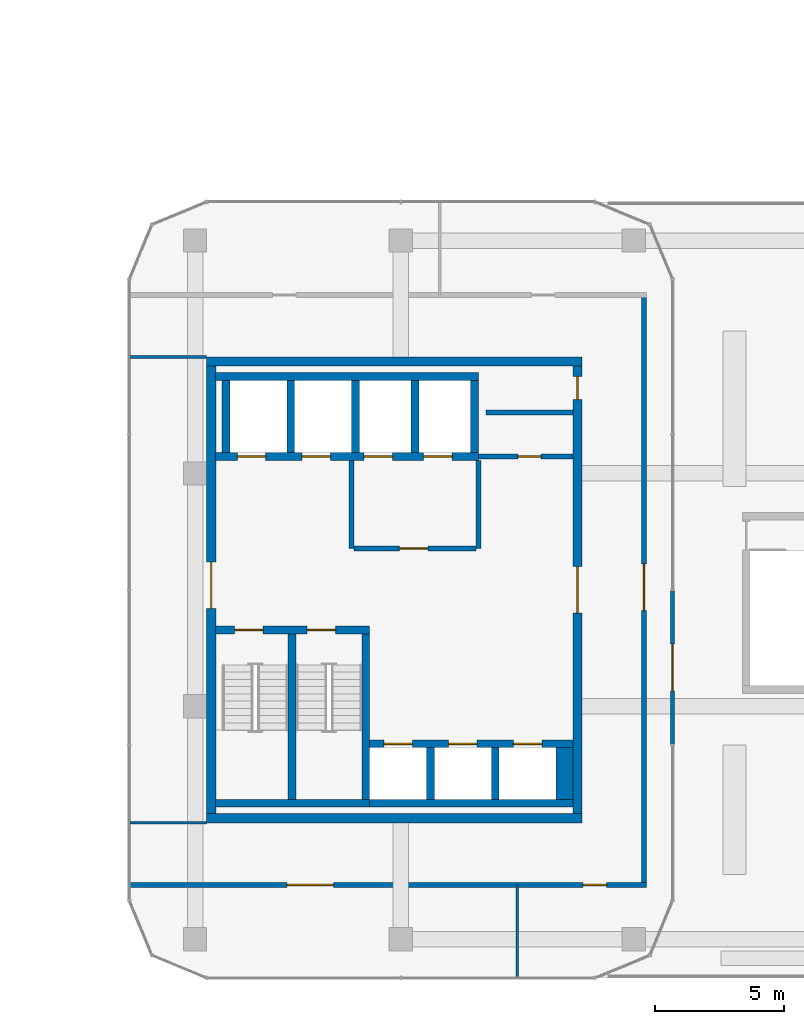
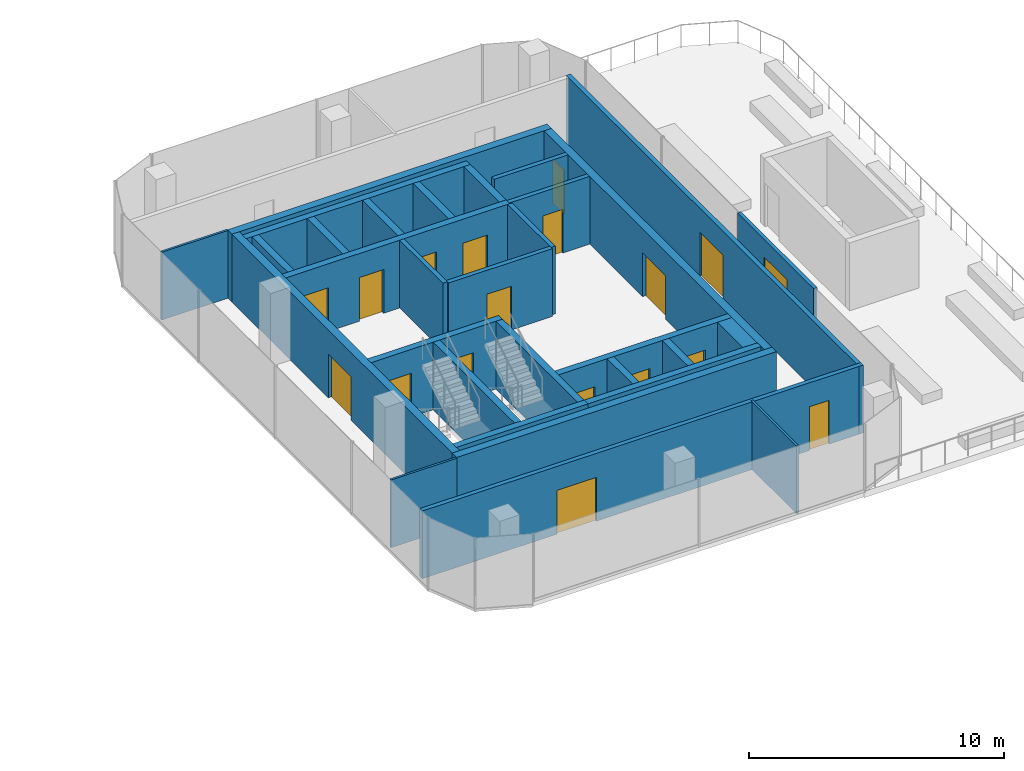
# One storey, part 17 of 22: 31 walls, 18 doors, 18 openings.
"""IFC4 building model written with IfcOpenShell, lengths in metres."""

import ifcopenshell
import ifcopenshell.guid

model = None  # the IFC model being written
_history = None  # IfcOwnerHistory: only IFC2X3 demands one
_inside = {}  # id of a spatial element -> (the spatial element, [elements in it])
_under = {}  # id of a project, library or spatial element -> (it, [spatial elements below it])
_declared = {}  # id of a project -> (the project, [libraries it declares])
_typed = {}  # id of a type object -> (the type object, [elements of that type])
_made_of = {}  # id of a material, layer set ... -> (it, [elements and type objects made of it])


def new_model(schema):
    """Start an empty IFC model of exactly this schema.

    Asked for "IFC4X3", IfcOpenShell would pick the latest addendum, in which some entities
    have other attributes; the version numbers below select the first issue.
    IFC2X3 requires an IfcOwnerHistory on every rooted entity: one is made here for all.
    """
    global model, _history
    if schema == "IFC4X3":
        model = ifcopenshell.file(schema_version=(4, 3, 0, 0))
    else:
        model = ifcopenshell.file(schema=schema)
    _inside.clear()
    _under.clear()
    _declared.clear()
    _typed.clear()
    _made_of.clear()
    _history = None
    if model.schema == "IFC2X3":
        org = make("IfcOrganization", Name="unknown")
        user = make(
            "IfcPersonAndOrganization",
            ThePerson=make("IfcPerson", FamilyName="unknown"),
            TheOrganization=org,
        )
        app = make(
            "IfcApplication",
            ApplicationDeveloper=org,
            Version="unknown",
            ApplicationFullName="unknown",
            ApplicationIdentifier="unknown",
        )
        _history = make(
            "IfcOwnerHistory",
            OwningUser=user,
            OwningApplication=app,
            ChangeAction="ADDED",
            CreationDate=0,
        )
    return model


def make(cls, **values):
    """One entity of the class cls with the attributes given. An attribute that is None is left unset."""
    return model.create_entity(
        cls, **{name: value for name, value in values.items() if value is not None}
    )


def rooted(cls, **values):
    """An entity with a GlobalId (a new one), such as an element, a storey or a relation."""
    return make(cls, GlobalId=ifcopenshell.guid.new(), OwnerHistory=_history, **values)


def si_unit(unit_type, name, prefix=None):
    """IfcSIUnit, for example si_unit("LENGTHUNIT", "METRE", prefix="MILLI")."""
    return make("IfcSIUnit", UnitType=unit_type, Prefix=prefix, Name=name)


def assignment(units):
    """IfcUnitAssignment: the units of a project."""
    return None if units is None else make("IfcUnitAssignment", Units=units)


def point(xyz):
    """IfcCartesianPoint."""
    return None if xyz is None else make("IfcCartesianPoint", Coordinates=xyz)


def direction(xyz):
    """IfcDirection."""
    return None if xyz is None else make("IfcDirection", DirectionRatios=xyz)


def frame(location, z_axis=None, x_axis=None):
    """IfcAxis2Placement3D, a coordinate frame: its origin and axes. An axis left out is left unset."""
    return make(
        "IfcAxis2Placement3D",
        Location=point(location),
        Axis=direction(z_axis),
        RefDirection=direction(x_axis),
    )


def frame_2d(location, x_axis=None):
    """IfcAxis2Placement2D, a coordinate frame in the plane: its origin and x axis."""
    return make(
        "IfcAxis2Placement2D", Location=point(location), RefDirection=direction(x_axis)
    )


def origin():
    """The frame at (0, 0, 0) with its axes left unset."""
    return frame((0.0, 0.0, 0.0))


def place(relative_to, where):
    """IfcLocalPlacement: puts the frame where relative to a parent placement (None: the world)."""
    return make(
        "IfcLocalPlacement", PlacementRelTo=relative_to, RelativePlacement=where
    )


def context(
    kind, dimensions, precision=None, world=None, true_north=None, identifier=None
):
    """IfcGeometricRepresentationContext, for example the 3D "Model" context."""
    return make(
        "IfcGeometricRepresentationContext",
        ContextIdentifier=identifier,
        ContextType=kind,
        CoordinateSpaceDimension=dimensions,
        Precision=precision,
        WorldCoordinateSystem=world,
        TrueNorth=true_north,
    )


def subcontext(parent, identifier, kind, view, scale=None):
    """IfcGeometricRepresentationSubContext, for example "Body" below "Model"."""
    return make(
        "IfcGeometricRepresentationSubContext",
        ContextIdentifier=identifier,
        ContextType=kind,
        ParentContext=parent,
        TargetScale=scale,
        TargetView=view,
    )


def project(units=None, contexts=None):
    """IfcProject with its units and contexts."""
    return rooted(
        "IfcProject",
        Name="project",
        RepresentationContexts=contexts,
        UnitsInContext=assignment(units),
    )


def spatial(cls, under=None, at=None, **own):
    """A site, building, storey or space (cls), placed at a placement, below another one or the project."""
    s = rooted(cls, ObjectPlacement=at, **own)
    if under is not None:
        _under.setdefault(under.id(), (under, []))[1].append(s)
    return s


def profile(cls, at=None, kind="AREA", **sizes):
    """A parametric profile (cls). Its sizes go by their IFC names, for example OverallWidth=200.0."""
    return make(cls, ProfileType=kind, Position=at, **sizes)


def rectangle(**sizes):
    """IfcRectangleProfileDef."""
    return profile("IfcRectangleProfileDef", **sizes)


def extrude(swept, where, along, depth):
    """IfcExtrudedAreaSolid: the profile swept, set in the frame where, extruded along a direction by depth."""
    return make(
        "IfcExtrudedAreaSolid",
        SweptArea=swept,
        Position=where,
        ExtrudedDirection=direction(along),
        Depth=depth,
    )


def shape(context_of_items, identifier, shape_type, items):
    """IfcShapeRepresentation: the items that make up one representation, for example the "Body"."""
    return make(
        "IfcShapeRepresentation",
        ContextOfItems=context_of_items,
        RepresentationIdentifier=identifier,
        RepresentationType=shape_type,
        Items=items,
    )


def material(Name=None, Category=None):
    """IfcMaterial."""
    return make("IfcMaterial", Name=Name, Category=Category)


def layer(
    of_material, thickness, ventilated=None, Name=None, Category=None, Priority=None
):
    """IfcMaterialLayer: one layer of a wall or slab, of a material (None: an air gap)."""
    return make(
        "IfcMaterialLayer",
        Material=of_material,
        LayerThickness=thickness,
        IsVentilated=ventilated,
        Name=Name,
        Category=Category,
        Priority=Priority,
    )


def layer_set(layers, Name=None):
    """IfcMaterialLayerSet."""
    return make("IfcMaterialLayerSet", MaterialLayers=layers, LayerSetName=Name)


def made_of(thing, what):
    """Note that an element or type object is made of a material, layer set ...; save() writes the relation."""
    if what is not None:
        _made_of.setdefault(what.id(), (what, []))[1].append(thing)
    return thing


def type_object(cls, material=None, **own):
    """A type object (cls), such as IfcWallType, which elements share."""
    return made_of(rooted(cls, **own), material)


def element(
    cls,
    number,
    at=None,
    inside=None,
    cuts=None,
    type_object=None,
    material=None,
    context=None,
    identifier="Body",
    shape_type=None,
    held_by="IfcProductDefinitionShape",
    body=None,
    shapes=None,
    **own,
):
    """One element of the class cls, such as IfcWall. Its Tag is "e" and its number.

    at: its placement. inside: the storey or other place that contains it. cuts: it is an
    opening in that element (IfcRelVoidsElement). A single representation is given by context,
    identifier, shape_type and body (its items); several are given by shapes. held_by: the class
    of the entity that holds the representations. save() writes the other relations.
    """
    e = rooted(cls, Tag="e%d" % number, ObjectPlacement=at, **own)
    if body is not None:
        shapes = [shape(context, identifier, shape_type, body)]
    if shapes is not None:
        e.Representation = make(held_by, Representations=shapes)
    if inside is not None:
        _inside.setdefault(inside.id(), (inside, []))[1].append(e)
    if cuts is not None:
        rooted(
            "IfcRelVoidsElement", RelatingBuildingElement=cuts, RelatedOpeningElement=e
        )
    if type_object is not None:
        _typed.setdefault(type_object.id(), (type_object, []))[1].append(e)
    return made_of(e, material)


def fill(opening, filler):
    """IfcRelFillsElement: the door or window that sits in an opening."""
    return rooted(
        "IfcRelFillsElement",
        RelatingOpeningElement=opening,
        RelatedBuildingElement=filler,
    )


def aggregate(whole, parts):
    """IfcRelAggregates: a whole, such as a stair, and the parts it consists of."""
    return rooted("IfcRelAggregates", RelatingObject=whole, RelatedObjects=parts)


def save(model, path):
    """Write the relations noted so far, then the file.

    IfcRelAggregates (storeys below a building ...), IfcRelContainedInSpatialStructure (elements
    in a storey), IfcRelDefinesByType, IfcRelAssociatesMaterial and IfcRelDeclares: one each for
    every whole, place, type object, material and project.
    """
    for whole, parts in _under.values():
        aggregate(whole, parts)
    for where, things in _inside.values():
        rooted(
            "IfcRelContainedInSpatialStructure",
            RelatedElements=things,
            RelatingStructure=where,
        )
    for kind, things in _typed.values():
        rooted("IfcRelDefinesByType", RelatedObjects=things, RelatingType=kind)
    for what, things in _made_of.values():
        rooted("IfcRelAssociatesMaterial", RelatedObjects=things, RelatingMaterial=what)
    for by, libraries in _declared.values():
        rooted("IfcRelDeclares", RelatingContext=by, RelatedDefinitions=libraries)
    model.write(path)


model = new_model("IFC4")

# Units and contexts
model_context = context("Model", 3, precision=1e-05, world=origin(), true_north=direction((0.0, 1.0)))
body_context = subcontext(model_context, "Body", "Model", "MODEL_VIEW")
ifc_project = project(units=[si_unit("LENGTHUNIT", "METRE"), si_unit("AREAUNIT", "SQUARE_METRE"), si_unit("VOLUMEUNIT", "CUBIC_METRE"), si_unit("PLANEANGLEUNIT", "RADIAN"), si_unit("MASSUNIT", "GRAM", prefix="KILO")], contexts=[model_context])

# Site, building, storey
site_placement = place(None, origin())
site = spatial("IfcSite", under=ifc_project, at=site_placement, CompositionType="ELEMENT")
building_placement = place(site_placement, origin())
building = spatial("IfcBuilding", under=site, at=building_placement, Name="Plateau Cross Towers", CompositionType="ELEMENT")
storey_placement = place(building_placement, frame((0.0, 0.0, 116.800048828125)))
storey = spatial("IfcBuildingStorey", under=building, at=storey_placement, Name="L30", CompositionType="ELEMENT", Elevation=116.800048828125)

# Wall
ifc_material_1 = material(Name="Concrete block, plastered both sides", Category="concrete")
ifc_layer_1 = layer(ifc_material_1, 0.199951171875)
ifc_layer_set_1 = layer_set([ifc_layer_1], Name="Concrete block, plastered both sides")
wall_type_1 = type_object("IfcWallType", Name="Core partition 200", PredefinedType="PARTITIONING", material=ifc_layer_set_1)
wall_1_placement = place(storey_placement, frame((80.60009765625, 10.60009765625, 0.0), z_axis=(0.0, 0.0, 1.0), x_axis=(0.0, 1.0, 0.0)))
element("IfcWall", 1, at=wall_1_placement, inside=storey, type_object=wall_type_1, Name="Core partition", PredefinedType="PARTITIONING", context=body_context, shape_type="SweptSolid", body=[
    extrude(rectangle(XDim=3.39990234375, YDim=0.199951171875, at=frame_2d((1.699951171875, 0.0))), origin(), (0.0, 0.0, 1.0), 3.25),
])

# Wall, opening, door
wall_2_placement = place(storey_placement, frame((80.699951171875, 10.60009765625, 0.0), z_axis=(0.0, 0.0, 1.0), x_axis=(1.0, 0.0, 0.0)))
wall_2 = element("IfcWall", 2, at=wall_2_placement, inside=storey, type_object=wall_type_1, Name="Core partition", PredefinedType="PARTITIONING", context=body_context, shape_type="SweptSolid", body=[
    extrude(rectangle(XDim=4.699951171875, YDim=0.199951171875, at=frame_2d((2.35009765625, 0.0))), origin(), (0.0, 0.0, 1.0), 3.25),
])
opening_1_placement = place(wall_2_placement, frame((1.75, 0.0, 0.0)))
opening_1 = element("IfcOpeningElement", 3, at=opening_1_placement, cuts=wall_2, Name="Opening FFD", PredefinedType="OPENING", context=body_context, shape_type="SweptSolid", body=[
    extrude(rectangle(XDim=1.10009765625, YDim=2.10009765625, at=frame_2d((0.550048828125, 1.050048828125))), frame((0.0, 0.10986328125, 0.0), z_axis=(0.0, -1.0, 0.0), x_axis=(1.0, 0.0, 0.0)), (0.0, 0.0, 1.0), 0.219970703125),
])
ifc_material_2 = material(Name="Steel, fire-resisting leaf", Category="steel")
door_type_1 = type_object("IfcDoorType", Name="Firefighting lobby door 1100", OperationType="NOTDEFINED", PredefinedType="DOOR", material=ifc_material_2)
door_1_placement = place(opening_1_placement, origin())
door_1 = element("IfcDoor", 4, at=door_1_placement, inside=storey, type_object=door_type_1, Name="Firefighting lobby door FFD", OperationType="SINGLE_SWING_LEFT", OverallHeight=2.10009765625, OverallWidth=1.10009765625, PredefinedType="DOOR", context=body_context, shape_type="SweptSolid", body=[
    extrude(rectangle(XDim=1.10009765625, YDim=2.10009765625, at=frame_2d((0.550048828125, 1.050048828125))), frame((0.0, 0.02490234375, 0.0), z_axis=(0.0, -1.0, 0.0), x_axis=(1.0, 0.0, 0.0)), (0.0, 0.0, 1.0), 0.050048828125),
])
fill(opening_1, door_1)

# Wall
wall_3_placement = place(storey_placement, frame((85.5, 10.60009765625, 0.0), z_axis=(0.0, 0.0, 1.0), x_axis=(0.0, 1.0, 0.0)))
element("IfcWall", 5, at=wall_3_placement, inside=storey, type_object=wall_type_1, Name="Core partition", PredefinedType="PARTITIONING", context=body_context, shape_type="SweptSolid", body=[
    extrude(rectangle(XDim=3.39990234375, YDim=0.199951171875, at=frame_2d((1.699951171875, 0.0))), origin(), (0.0, 0.0, 1.0), 3.25),
])

# Wall, opening, door
wall_4_placement = place(storey_placement, frame((85.5, 14.14990234375, 0.0), z_axis=(0.0, 0.0, 1.0), x_axis=(1.0, 0.0, 0.0)))
wall_4 = element("IfcWall", 6, at=wall_4_placement, inside=storey, type_object=wall_type_1, Name="Core partition", PredefinedType="PARTITIONING", context=body_context, shape_type="SweptSolid", body=[
    extrude(rectangle(XDim=3.64990234375, YDim=0.199951171875, at=frame_2d((1.824951171875, 0.0))), origin(), (0.0, 0.0, 1.0), 3.25),
])
opening_2_placement = place(wall_4_placement, frame((1.52490234375, 0.0, 0.0)))
opening_2 = element("IfcOpeningElement", 7, at=opening_2_placement, cuts=wall_4, Name="Opening RD2", PredefinedType="OPENING", context=body_context, shape_type="SweptSolid", body=[
    extrude(rectangle(XDim=0.89990234375, YDim=2.10009765625, at=frame_2d((0.449951171875, 1.050048828125))), frame((0.0, 0.10986328125, 0.0), z_axis=(0.0, -1.0, 0.0), x_axis=(1.0, 0.0, 0.0)), (0.0, 0.0, 1.0), 0.219970703125),
])
door_type_2 = type_object("IfcDoorType", Name="Core riser door 900", OperationType="NOTDEFINED", PredefinedType="DOOR", material=ifc_material_2)
door_2_placement = place(opening_2_placement, origin())
door_2 = element("IfcDoor", 8, at=door_2_placement, inside=storey, type_object=door_type_2, Name="Core riser door RD2", OperationType="SINGLE_SWING_LEFT", OverallHeight=2.10009765625, OverallWidth=0.89990234375, PredefinedType="DOOR", context=body_context, shape_type="SweptSolid", body=[
    extrude(rectangle(XDim=0.89990234375, YDim=2.10009765625, at=frame_2d((0.449951171875, 1.050048828125))), frame((0.0, 0.02490234375, 0.0), z_axis=(0.0, -1.0, 0.0), x_axis=(1.0, 0.0, 0.0)), (0.0, 0.0, 1.0), 0.050048828125),
])
fill(opening_2, door_2)

# Walls
wall_5_placement = place(storey_placement, frame((85.800048828125, 15.85009765625, 0.0), z_axis=(0.0, 0.0, 1.0), x_axis=(1.0, 0.0, 0.0)))
element("IfcWall", 9, at=wall_5_placement, inside=storey, type_object=wall_type_1, Name="Core partition", PredefinedType="PARTITIONING", context=body_context, shape_type="SweptSolid", body=[
    extrude(rectangle(XDim=3.349853515625, YDim=0.199951171875, at=frame_2d((1.6748046875, 0.0))), origin(), (0.0, 0.0, 1.0), 3.25),
])
ifc_material_3 = material(Name="Concrete C60/75", Category="concrete")
ifc_layer_2 = layer(ifc_material_3, 0.300048828125)
ifc_layer_set_2 = layer_set([ifc_layer_2], Name="Concrete C60/75")
wall_type_2 = type_object("IfcWallType", Name="Core shaft wall 300", PredefinedType="SHEAR", material=ifc_layer_set_2)
wall_6_placement = place(storey_placement, frame((75.330078125, 0.75, 0.0), z_axis=(0.0, 0.0, 1.0), x_axis=(1.0, 0.0, 0.0)))
element("IfcWall", 10, at=wall_6_placement, inside=storey, type_object=wall_type_2, Name="B-sb-stS@L30", PredefinedType="SHEAR", context=body_context, shape_type="SweptSolid", body=[
    extrude(rectangle(XDim=5.969970703125, YDim=0.300048828125, at=frame_2d((2.98486328125, 0.0))), origin(), (0.0, 0.0, 1.0), 3.25),
])

# Wall, openings, doors
wall_7_placement = place(storey_placement, frame((75.330078125, 7.449951171875, 0.0), z_axis=(0.0, 0.0, 1.0), x_axis=(1.0, 0.0, 0.0)))
wall_7 = element("IfcWall", 11, at=wall_7_placement, inside=storey, type_object=wall_type_2, Name="B-sb-stN@L30", PredefinedType="SHEAR", context=body_context, shape_type="SweptSolid", body=[
    extrude(rectangle(XDim=5.969970703125, YDim=0.300048828125, at=frame_2d((2.98486328125, 0.0))), origin(), (0.0, 0.0, 1.0), 3.25),
])
opening_3_placement = place(wall_7_placement, frame((0.75, 0.0, 0.0)))
opening_3 = element("IfcOpeningElement", 12, at=opening_3_placement, cuts=wall_7, Name="Opening SD", PredefinedType="OPENING", context=body_context, shape_type="SweptSolid", body=[
    extrude(rectangle(XDim=1.10009765625, YDim=2.10009765625, at=frame_2d((0.550048828125, 1.050048828125))), frame((0.0, 0.159912109375, 0.0), z_axis=(0.0, -1.0, 0.0), x_axis=(1.0, 0.0, 0.0)), (0.0, 0.0, 1.0), 0.320068359375),
])
opening_4_placement = place(wall_7_placement, frame((3.550048828125, 0.0, 0.0)))
opening_4 = element("IfcOpeningElement", 13, at=opening_4_placement, cuts=wall_7, Name="Opening SD", PredefinedType="OPENING", context=body_context, shape_type="SweptSolid", body=[
    extrude(rectangle(XDim=1.10009765625, YDim=2.10009765625, at=frame_2d((0.550048828125, 1.050048828125))), frame((0.0, 0.159912109375, 0.0), z_axis=(0.0, -1.0, 0.0), x_axis=(1.0, 0.0, 0.0)), (0.0, 0.0, 1.0), 0.320068359375),
])
door_type_3 = type_object("IfcDoorType", Name="Stair door 1100", OperationType="NOTDEFINED", PredefinedType="DOOR", material=ifc_material_2)
door_3_placement = place(opening_3_placement, origin())
door_3 = element("IfcDoor", 14, at=door_3_placement, inside=storey, type_object=door_type_3, Name="Stair door SD", OperationType="SINGLE_SWING_RIGHT", OverallHeight=2.10009765625, OverallWidth=1.10009765625, PredefinedType="DOOR", context=body_context, shape_type="SweptSolid", body=[
    extrude(rectangle(XDim=1.10009765625, YDim=2.10009765625, at=frame_2d((0.550048828125, 1.050048828125))), frame((0.0, 0.02490234375, 0.0), z_axis=(0.0, -1.0, 0.0), x_axis=(1.0, 0.0, 0.0)), (0.0, 0.0, 1.0), 0.050048828125),
])
fill(opening_3, door_3)
door_4_placement = place(opening_4_placement, origin())
door_4 = element("IfcDoor", 15, at=door_4_placement, inside=storey, type_object=door_type_3, Name="Stair door SD", OperationType="SINGLE_SWING_LEFT", OverallHeight=2.10009765625, OverallWidth=1.10009765625, PredefinedType="DOOR", context=body_context, shape_type="SweptSolid", body=[
    extrude(rectangle(XDim=1.10009765625, YDim=2.10009765625, at=frame_2d((0.550048828125, 1.050048828125))), frame((0.0, 0.02490234375, 0.0), z_axis=(0.0, -1.0, 0.0), x_axis=(1.0, 0.0, 0.0)), (0.0, 0.0, 1.0), 0.050048828125),
])
fill(opening_4, door_4)

# Walls
for number, where, z_axis, x_axis, name in (
    (16, (78.300048828125, 0.89990234375, 0.0), (0.0, 0.0, 1.0), (0.0, 1.0, 0.0), "B-sb-st1@L30"),
    (17, (81.14990234375, 0.89990234375, 0.0), (0.0, 0.0, 1.0), (0.0, 1.0, 0.0), "B-sb-st2@L30"),
):
    element("IfcWall", number, at=place(storey_placement, frame(where, z_axis=z_axis, x_axis=x_axis)), inside=storey, type_object=wall_type_2, Name=name, PredefinedType="SHEAR", context=body_context, shape_type="SweptSolid", body=[
        extrude(rectangle(XDim=6.400146484375, YDim=0.300048828125, at=frame_2d((3.2001953125, 0.0))), origin(), (0.0, 0.0, 1.0), 3.25),
    ])
wall_8_placement = place(storey_placement, frame((81.300048828125, 0.75, 0.0), z_axis=(0.0, 0.0, 1.0), x_axis=(1.0, 0.0, 0.0)))
element("IfcWall", 18, at=wall_8_placement, inside=storey, type_object=wall_type_2, Name="B-sb-back@L30", PredefinedType="SHEAR", context=body_context, shape_type="SweptSolid", body=[
    extrude(rectangle(XDim=7.849853515625, YDim=0.300048828125, at=frame_2d((3.9248046875, 0.0))), origin(), (0.0, 0.0, 1.0), 3.25),
])
for number, where, z_axis, x_axis, name in (
    (19, (83.64990234375, 0.89990234375, 0.0), (0.0, 0.0, 1.0), (0.0, 1.0, 0.0), "B-sb-v1@L30"),
    (20, (86.14990234375, 0.89990234375, 0.0), (0.0, 0.0, 1.0), (0.0, 1.0, 0.0), "B-sb-v2@L30"),
):
    element("IfcWall", number, at=place(storey_placement, frame(where, z_axis=z_axis, x_axis=x_axis)), inside=storey, type_object=wall_type_2, Name=name, PredefinedType="SHEAR", context=body_context, shape_type="SweptSolid", body=[
        extrude(rectangle(XDim=2.0, YDim=0.300048828125, at=frame_2d((1.0, 0.0))), origin(), (0.0, 0.0, 1.0), 3.25),
    ])

# Wall, openings, doors
wall_9_placement = place(storey_placement, frame((81.300048828125, 3.050048828125, 0.0), z_axis=(0.0, 0.0, 1.0), x_axis=(1.0, 0.0, 0.0)))
wall_9 = element("IfcWall", 21, at=wall_9_placement, inside=storey, type_object=wall_type_2, Name="B-sb-front@L30", PredefinedType="SHEAR", context=body_context, shape_type="SweptSolid", body=[
    extrude(rectangle(XDim=7.849853515625, YDim=0.300048828125, at=frame_2d((3.9248046875, 0.0))), origin(), (0.0, 0.0, 1.0), 3.25),
])
opening_5_placement = place(wall_9_placement, frame((0.550048828125, 0.0, 0.0)))
opening_5 = element("IfcOpeningElement", 22, at=opening_5_placement, cuts=wall_9, Name="Opening LD", PredefinedType="OPENING", context=body_context, shape_type="SweptSolid", body=[
    extrude(rectangle(XDim=1.10009765625, YDim=2.10009765625, at=frame_2d((0.550048828125, 1.050048828125))), frame((0.0, 0.159912109375, 0.0), z_axis=(0.0, -1.0, 0.0), x_axis=(1.0, 0.0, 0.0)), (0.0, 0.0, 1.0), 0.320068359375),
])
opening_6_placement = place(wall_9_placement, frame((3.050048828125, 0.0, 0.0)))
opening_6 = element("IfcOpeningElement", 23, at=opening_6_placement, cuts=wall_9, Name="Opening LD", PredefinedType="OPENING", context=body_context, shape_type="SweptSolid", body=[
    extrude(rectangle(XDim=1.10009765625, YDim=2.10009765625, at=frame_2d((0.550048828125, 1.050048828125))), frame((0.0, 0.159912109375, 0.0), z_axis=(0.0, -1.0, 0.0), x_axis=(1.0, 0.0, 0.0)), (0.0, 0.0, 1.0), 0.320068359375),
])
opening_7_placement = place(wall_9_placement, frame((5.550048828125, 0.0, 0.0)))
opening_7 = element("IfcOpeningElement", 24, at=opening_7_placement, cuts=wall_9, Name="Opening LD", PredefinedType="OPENING", context=body_context, shape_type="SweptSolid", body=[
    extrude(rectangle(XDim=1.10009765625, YDim=2.10009765625, at=frame_2d((0.550048828125, 1.050048828125))), frame((0.0, 0.159912109375, 0.0), z_axis=(0.0, -1.0, 0.0), x_axis=(1.0, 0.0, 0.0)), (0.0, 0.0, 1.0), 0.320068359375),
])
ifc_material_4 = material(Name="Stainless steel, fire-resisting sliding leaves", Category="steel")
door_type_4 = type_object("IfcDoorType", Name="Lift landing door 1100", OperationType="NOTDEFINED", PredefinedType="DOOR", material=ifc_material_4)
door_5_placement = place(opening_5_placement, origin())
door_5 = element("IfcDoor", 25, at=door_5_placement, inside=storey, type_object=door_type_4, Name="Lift landing door LD", OperationType="DOUBLE_DOOR_SLIDING", OverallHeight=2.10009765625, OverallWidth=1.10009765625, PredefinedType="DOOR", context=body_context, shape_type="SweptSolid", body=[
    extrude(rectangle(XDim=1.10009765625, YDim=2.10009765625, at=frame_2d((0.550048828125, 1.050048828125))), frame((0.0, 0.02490234375, 0.0), z_axis=(0.0, -1.0, 0.0), x_axis=(1.0, 0.0, 0.0)), (0.0, 0.0, 1.0), 0.050048828125),
])
fill(opening_5, door_5)
door_6_placement = place(opening_6_placement, origin())
door_6 = element("IfcDoor", 26, at=door_6_placement, inside=storey, type_object=door_type_4, Name="Lift landing door LD", OperationType="DOUBLE_DOOR_SLIDING", OverallHeight=2.10009765625, OverallWidth=1.10009765625, PredefinedType="DOOR", context=body_context, shape_type="SweptSolid", body=[
    extrude(rectangle(XDim=1.10009765625, YDim=2.10009765625, at=frame_2d((0.550048828125, 1.050048828125))), frame((0.0, 0.02490234375, 0.0), z_axis=(0.0, -1.0, 0.0), x_axis=(1.0, 0.0, 0.0)), (0.0, 0.0, 1.0), 0.050048828125),
])
fill(opening_6, door_6)
door_7_placement = place(opening_7_placement, origin())
door_7 = element("IfcDoor", 27, at=door_7_placement, inside=storey, type_object=door_type_4, Name="Lift landing door LD", OperationType="DOUBLE_DOOR_SLIDING", OverallHeight=2.10009765625, OverallWidth=1.10009765625, PredefinedType="DOOR", context=body_context, shape_type="SweptSolid", body=[
    extrude(rectangle(XDim=1.10009765625, YDim=2.10009765625, at=frame_2d((0.550048828125, 1.050048828125))), frame((0.0, 0.02490234375, 0.0), z_axis=(0.0, -1.0, 0.0), x_axis=(1.0, 0.0, 0.0)), (0.0, 0.0, 1.0), 0.050048828125),
])
fill(opening_7, door_7)

# Wall
wall_10_placement = place(storey_placement, frame((75.330078125, 17.25, 0.0), z_axis=(0.0, 0.0, 1.0), x_axis=(1.0, 0.0, 0.0)))
element("IfcWall", 28, at=wall_10_placement, inside=storey, type_object=wall_type_2, Name="B-nb-back@L30", PredefinedType="SHEAR", context=body_context, shape_type="SweptSolid", body=[
    extrude(rectangle(XDim=10.169921875, YDim=0.300048828125, at=frame_2d((5.0849609375, 0.0))), origin(), (0.0, 0.0, 1.0), 3.25),
])

# Wall, openings, doors
wall_11_placement = place(storey_placement, frame((75.330078125, 14.14990234375, 0.0), z_axis=(0.0, 0.0, 1.0), x_axis=(1.0, 0.0, 0.0)))
wall_11 = element("IfcWall", 29, at=wall_11_placement, inside=storey, type_object=wall_type_2, Name="B-nb-front@L30", PredefinedType="SHEAR", context=body_context, shape_type="SweptSolid", body=[
    extrude(rectangle(XDim=10.169921875, YDim=0.300048828125, at=frame_2d((5.0849609375, 0.0))), origin(), (0.0, 0.0, 1.0), 3.25),
])
opening_8_placement = place(wall_11_placement, frame((0.85009765625, 0.0, 0.0)))
opening_8 = element("IfcOpeningElement", 30, at=opening_8_placement, cuts=wall_11, Name="Opening LD", PredefinedType="OPENING", context=body_context, shape_type="SweptSolid", body=[
    extrude(rectangle(XDim=1.10009765625, YDim=2.10009765625, at=frame_2d((0.550048828125, 1.050048828125))), frame((0.0, 0.159912109375, 0.0), z_axis=(0.0, -1.0, 0.0), x_axis=(1.0, 0.0, 0.0)), (0.0, 0.0, 1.0), 0.320068359375),
])
opening_9_placement = place(wall_11_placement, frame((3.35009765625, 0.0, 0.0)))
opening_9 = element("IfcOpeningElement", 31, at=opening_9_placement, cuts=wall_11, Name="Opening LD", PredefinedType="OPENING", context=body_context, shape_type="SweptSolid", body=[
    extrude(rectangle(XDim=1.10009765625, YDim=2.10009765625, at=frame_2d((0.550048828125, 1.050048828125))), frame((0.0, 0.159912109375, 0.0), z_axis=(0.0, -1.0, 0.0), x_axis=(1.0, 0.0, 0.0)), (0.0, 0.0, 1.0), 0.320068359375),
])
opening_10_placement = place(wall_11_placement, frame((5.75, 0.0, 0.0)))
opening_10 = element("IfcOpeningElement", 32, at=opening_10_placement, cuts=wall_11, Name="Opening LD", PredefinedType="OPENING", context=body_context, shape_type="SweptSolid", body=[
    extrude(rectangle(XDim=1.10009765625, YDim=2.10009765625, at=frame_2d((0.550048828125, 1.050048828125))), frame((0.0, 0.159912109375, 0.0), z_axis=(0.0, -1.0, 0.0), x_axis=(1.0, 0.0, 0.0)), (0.0, 0.0, 1.0), 0.320068359375),
])
opening_11_placement = place(wall_11_placement, frame((8.050048828125, 0.0, 0.0)))
opening_11 = element("IfcOpeningElement", 33, at=opening_11_placement, cuts=wall_11, Name="Opening LD", PredefinedType="OPENING", context=body_context, shape_type="SweptSolid", body=[
    extrude(rectangle(XDim=1.10009765625, YDim=2.10009765625, at=frame_2d((0.550048828125, 1.050048828125))), frame((0.0, 0.159912109375, 0.0), z_axis=(0.0, -1.0, 0.0), x_axis=(1.0, 0.0, 0.0)), (0.0, 0.0, 1.0), 0.320068359375),
])
door_8_placement = place(opening_8_placement, origin())
door_8 = element("IfcDoor", 34, at=door_8_placement, inside=storey, type_object=door_type_4, Name="Lift landing door LD", OperationType="DOUBLE_DOOR_SLIDING", OverallHeight=2.10009765625, OverallWidth=1.10009765625, PredefinedType="DOOR", context=body_context, shape_type="SweptSolid", body=[
    extrude(rectangle(XDim=1.10009765625, YDim=2.10009765625, at=frame_2d((0.550048828125, 1.050048828125))), frame((0.0, 0.02490234375, 0.0), z_axis=(0.0, -1.0, 0.0), x_axis=(1.0, 0.0, 0.0)), (0.0, 0.0, 1.0), 0.050048828125),
])
fill(opening_8, door_8)
door_9_placement = place(opening_9_placement, origin())
door_9 = element("IfcDoor", 35, at=door_9_placement, inside=storey, type_object=door_type_4, Name="Lift landing door LD", OperationType="DOUBLE_DOOR_SLIDING", OverallHeight=2.10009765625, OverallWidth=1.10009765625, PredefinedType="DOOR", context=body_context, shape_type="SweptSolid", body=[
    extrude(rectangle(XDim=1.10009765625, YDim=2.10009765625, at=frame_2d((0.550048828125, 1.050048828125))), frame((0.0, 0.02490234375, 0.0), z_axis=(0.0, -1.0, 0.0), x_axis=(1.0, 0.0, 0.0)), (0.0, 0.0, 1.0), 0.050048828125),
])
fill(opening_9, door_9)
door_10_placement = place(opening_10_placement, origin())
door_10 = element("IfcDoor", 36, at=door_10_placement, inside=storey, type_object=door_type_4, Name="Lift landing door LD", OperationType="DOUBLE_DOOR_SLIDING", OverallHeight=2.10009765625, OverallWidth=1.10009765625, PredefinedType="DOOR", context=body_context, shape_type="SweptSolid", body=[
    extrude(rectangle(XDim=1.10009765625, YDim=2.10009765625, at=frame_2d((0.550048828125, 1.050048828125))), frame((0.0, 0.02490234375, 0.0), z_axis=(0.0, -1.0, 0.0), x_axis=(1.0, 0.0, 0.0)), (0.0, 0.0, 1.0), 0.050048828125),
])
fill(opening_10, door_10)
door_11_placement = place(opening_11_placement, origin())
door_11 = element("IfcDoor", 37, at=door_11_placement, inside=storey, type_object=door_type_4, Name="Lift landing door LD", OperationType="DOUBLE_DOOR_SLIDING", OverallHeight=2.10009765625, OverallWidth=1.10009765625, PredefinedType="DOOR", context=body_context, shape_type="SweptSolid", body=[
    extrude(rectangle(XDim=1.10009765625, YDim=2.10009765625, at=frame_2d((0.550048828125, 1.050048828125))), frame((0.0, 0.02490234375, 0.0), z_axis=(0.0, -1.0, 0.0), x_axis=(1.0, 0.0, 0.0)), (0.0, 0.0, 1.0), 0.050048828125),
])
fill(opening_11, door_11)

# Walls
for number, where, z_axis, x_axis, name in (
    (38, (75.75, 14.300048828125, 0.0), (0.0, 0.0, 1.0), (0.0, 1.0, 0.0), "B-nb-v0@L30"),
    (39, (78.25, 14.300048828125, 0.0), (0.0, 0.0, 1.0), (0.0, 1.0, 0.0), "B-nb-v1@L30"),
    (40, (80.75, 14.300048828125, 0.0), (0.0, 0.0, 1.0), (0.0, 1.0, 0.0), "B-nb-v2@L30"),
    (41, (83.050048828125, 14.300048828125, 0.0), (0.0, 0.0, 1.0), (0.0, 1.0, 0.0), "B-nb-v3@L30"),
    (42, (85.35009765625, 14.300048828125, 0.0), (0.0, 0.0, 1.0), (0.0, 1.0, 0.0), "B-nb-v4@L30"),
):
    element("IfcWall", number, at=place(storey_placement, frame(where, z_axis=z_axis, x_axis=x_axis)), inside=storey, type_object=wall_type_2, Name=name, PredefinedType="SHEAR", context=body_context, shape_type="SweptSolid", body=[
        extrude(rectangle(XDim=2.800048828125, YDim=0.300048828125, at=frame_2d((1.39990234375, 0.0))), origin(), (0.0, 0.0, 1.0), 3.25),
    ])
ifc_layer_3 = layer(ifc_material_3, 0.64990234375)
ifc_layer_set_3 = layer_set([ifc_layer_3], Name="Concrete C60/75")
wall_type_3 = type_object("IfcWallType", Name="Core shaft wall 650", PredefinedType="SHEAR", material=ifc_layer_set_3)
wall_12_placement = place(storey_placement, frame((88.824951171875, 0.89990234375, 0.0), z_axis=(0.0, 0.0, 1.0), x_axis=(0.0, 1.0, 0.0)))
element("IfcWall", 43, at=wall_12_placement, inside=storey, type_object=wall_type_3, Name="B-sb-v3@L30", PredefinedType="SHEAR", context=body_context, shape_type="SweptSolid", body=[
    extrude(rectangle(XDim=2.0, YDim=0.64990234375, at=frame_2d((1.0, 0.0))), origin(), (0.0, 0.0, 1.0), 3.25),
])
ifc_layer_4 = layer(ifc_material_3, 0.35009765625)
ifc_layer_set_4 = layer_set([ifc_layer_4], Name="Concrete C60/75")
wall_type_4 = type_object("IfcWallType", Name="Core shell wall 350", PredefinedType="SHEAR", material=ifc_layer_set_4)
for number, where, z_axis, x_axis, name in (
    (44, (75.0, 0.175048828125, 0.0), (0.0, 0.0, 1.0), (1.0, 0.0, 0.0), "B-core-S@L30"),
    (45, (75.0, 17.824951171875, 0.0), (0.0, 0.0, 1.0), (1.0, 0.0, 0.0), "B-core-N@L30"),
):
    element("IfcWall", number, at=place(storey_placement, frame(where, z_axis=z_axis, x_axis=x_axis)), inside=storey, type_object=wall_type_4, Name=name, PredefinedType="SHEAR", context=body_context, shape_type="SweptSolid", body=[
        extrude(rectangle(XDim=14.5, YDim=0.35009765625, at=frame_2d((7.25, 0.0))), origin(), (0.0, 0.0, 1.0), 3.25),
    ])

# Wall, opening, door
wall_13_placement = place(storey_placement, frame((75.175048828125, 0.35009765625, 0.0), z_axis=(0.0, 0.0, 1.0), x_axis=(0.0, 1.0, 0.0)))
wall_13 = element("IfcWall", 46, at=wall_13_placement, inside=storey, type_object=wall_type_4, Name="B-core-W@L30", PredefinedType="SHEAR", context=body_context, shape_type="SweptSolid", body=[
    extrude(rectangle(XDim=17.2998046875, YDim=0.35009765625, at=frame_2d((8.64990234375, 0.0))), origin(), (0.0, 0.0, 1.0), 3.25),
])
opening_12_placement = place(wall_13_placement, frame((7.925048828125, 0.0, 0.0)))
opening_12 = element("IfcOpeningElement", 47, at=opening_12_placement, cuts=wall_13, Name="Opening CD", PredefinedType="OPENING", context=body_context, shape_type="SweptSolid", body=[
    extrude(rectangle(XDim=1.800048828125, YDim=2.10009765625, at=frame_2d((0.89990234375, 1.050048828125))), frame((0.0, 0.18505859375, 0.0), z_axis=(0.0, -1.0, 0.0), x_axis=(1.0, 0.0, 0.0)), (0.0, 0.0, 1.0), 0.3701171875),
])
ifc_material_5 = material(Name="Steel, fire-resisting leaves", Category="steel")
door_type_5 = type_object("IfcDoorType", Name="Corridor door pair 1800", OperationType="NOTDEFINED", PredefinedType="DOOR", material=ifc_material_5)
door_12_placement = place(opening_12_placement, origin())
door_12 = element("IfcDoor", 48, at=door_12_placement, inside=storey, type_object=door_type_5, Name="Corridor door pair CD", OperationType="DOUBLE_DOOR_SINGLE_SWING", OverallHeight=2.10009765625, OverallWidth=1.800048828125, PredefinedType="DOOR", context=body_context, shape_type="SweptSolid", body=[
    extrude(rectangle(XDim=1.800048828125, YDim=2.10009765625, at=frame_2d((0.89990234375, 1.050048828125))), frame((0.0, 0.02490234375, 0.0), z_axis=(0.0, -1.0, 0.0), x_axis=(1.0, 0.0, 0.0)), (0.0, 0.0, 1.0), 0.050048828125),
])
fill(opening_12, door_12)

# Wall, openings, doors
wall_14_placement = place(storey_placement, frame((89.324951171875, 0.35009765625, 0.0), z_axis=(0.0, 0.0, 1.0), x_axis=(0.0, 1.0, 0.0)))
wall_14 = element("IfcWall", 49, at=wall_14_placement, inside=storey, type_object=wall_type_4, Name="B-core-E@L30", PredefinedType="SHEAR", context=body_context, shape_type="SweptSolid", body=[
    extrude(rectangle(XDim=17.2998046875, YDim=0.35009765625, at=frame_2d((8.64990234375, 0.0))), origin(), (0.0, 0.0, 1.0), 3.25),
])
opening_13_placement = place(wall_14_placement, frame((7.75, 0.0, 0.0)))
opening_13 = element("IfcOpeningElement", 50, at=opening_13_placement, cuts=wall_14, Name="Opening CD", PredefinedType="OPENING", context=body_context, shape_type="SweptSolid", body=[
    extrude(rectangle(XDim=1.800048828125, YDim=2.10009765625, at=frame_2d((0.89990234375, 1.050048828125))), frame((0.0, 0.18505859375, 0.0), z_axis=(0.0, -1.0, 0.0), x_axis=(1.0, 0.0, 0.0)), (0.0, 0.0, 1.0), 0.3701171875),
])
opening_14_placement = place(wall_14_placement, frame((16.0, 0.0, 0.0)))
opening_14 = element("IfcOpeningElement", 51, at=opening_14_placement, cuts=wall_14, Name="Opening RD2", PredefinedType="OPENING", context=body_context, shape_type="SweptSolid", body=[
    extrude(rectangle(XDim=0.89990234375, YDim=2.10009765625, at=frame_2d((0.449951171875, 1.050048828125))), frame((0.0, 0.18505859375, 0.0), z_axis=(0.0, -1.0, 0.0), x_axis=(1.0, 0.0, 0.0)), (0.0, 0.0, 1.0), 0.3701171875),
])
door_13_placement = place(opening_14_placement, origin())
door_13 = element("IfcDoor", 52, at=door_13_placement, inside=storey, type_object=door_type_2, Name="Core riser door RD2", OperationType="SINGLE_SWING_LEFT", OverallHeight=2.10009765625, OverallWidth=0.89990234375, PredefinedType="DOOR", context=body_context, shape_type="SweptSolid", body=[
    extrude(rectangle(XDim=0.89990234375, YDim=2.10009765625, at=frame_2d((0.449951171875, 1.050048828125))), frame((0.0, 0.02490234375, 0.0), z_axis=(0.0, -1.0, 0.0), x_axis=(1.0, 0.0, 0.0)), (0.0, 0.0, 1.0), 0.050048828125),
])
fill(opening_14, door_13)
door_14_placement = place(opening_13_placement, origin())
door_14 = element("IfcDoor", 53, at=door_14_placement, inside=storey, type_object=door_type_5, Name="Corridor door pair CD", OperationType="DOUBLE_DOOR_SINGLE_SWING", OverallHeight=2.10009765625, OverallWidth=1.800048828125, PredefinedType="DOOR", context=body_context, shape_type="SweptSolid", body=[
    extrude(rectangle(XDim=1.800048828125, YDim=2.10009765625, at=frame_2d((0.89990234375, 1.050048828125))), frame((0.0, 0.02490234375, 0.0), z_axis=(0.0, -1.0, 0.0), x_axis=(1.0, 0.0, 0.0)), (0.0, 0.0, 1.0), 0.050048828125),
])
fill(opening_13, door_14)

ifc_material_6 = material(Name="Gypsum board on steel studs, two layers each side", Category="steel")
ifc_layer_5 = layer(ifc_material_6, 0.199951171875)
ifc_layer_set_5 = layer_set([ifc_layer_5], Name="Gypsum board on steel studs, two layers each side")
wall_type_5 = type_object("IfcWallType", Name="Corridor wall 200", PredefinedType="PARTITIONING", material=ifc_layer_set_5)
wall_15_placement = place(storey_placement, frame((72.0, -2.39990234375, 0.0), z_axis=(0.0, 0.0, 1.0), x_axis=(1.0, 0.0, 0.0)))
wall_15 = element("IfcWall", 54, at=wall_15_placement, inside=storey, type_object=wall_type_5, Name="Ring wall", PredefinedType="PARTITIONING", context=body_context, shape_type="SweptSolid", body=[
    extrude(rectangle(XDim=20.0, YDim=0.199951171875, at=frame_2d((10.0, 0.0))), origin(), (0.0, 0.0, 1.0), 3.25),
])
opening_15_placement = place(wall_15_placement, frame((6.10009765625, 0.0, 0.0)))
opening_15 = element("IfcOpeningElement", 55, at=opening_15_placement, cuts=wall_15, Name="Opening D-BE18", PredefinedType="OPENING", context=body_context, shape_type="SweptSolid", body=[
    extrude(rectangle(XDim=1.800048828125, YDim=2.10009765625, at=frame_2d((0.89990234375, 1.050048828125))), frame((0.0, 0.10986328125, 0.0), z_axis=(0.0, -1.0, 0.0), x_axis=(1.0, 0.0, 0.0)), (0.0, 0.0, 1.0), 0.219970703125),
])
opening_16_placement = place(wall_15_placement, frame((17.550048828125, 0.0, 0.0)))
opening_16 = element("IfcOpeningElement", 56, at=opening_16_placement, cuts=wall_15, Name="Opening D-BR9", PredefinedType="OPENING", context=body_context, shape_type="SweptSolid", body=[
    extrude(rectangle(XDim=0.89990234375, YDim=2.10009765625, at=frame_2d((0.449951171875, 1.050048828125))), frame((0.0, 0.10986328125, 0.0), z_axis=(0.0, -1.0, 0.0), x_axis=(1.0, 0.0, 0.0)), (0.0, 0.0, 1.0), 0.219970703125),
])
ifc_material_7 = material(Name="Timber leaf", Category="wood")
door_type_6 = type_object("IfcDoorType", Name="Office room door 900", OperationType="NOTDEFINED", PredefinedType="DOOR", material=ifc_material_7)
door_15_placement = place(opening_16_placement, origin())
door_15 = element("IfcDoor", 57, at=door_15_placement, inside=storey, type_object=door_type_6, Name="Door D-BR9", OperationType="SINGLE_SWING_LEFT", OverallHeight=2.10009765625, OverallWidth=0.89990234375, PredefinedType="DOOR", context=body_context, shape_type="SweptSolid", body=[
    extrude(rectangle(XDim=0.89990234375, YDim=2.10009765625, at=frame_2d((0.449951171875, 1.050048828125))), frame((0.0, 0.02490234375, 0.0), z_axis=(0.0, -1.0, 0.0), x_axis=(1.0, 0.0, 0.0)), (0.0, 0.0, 1.0), 0.050048828125),
])
fill(opening_16, door_15)
ifc_material_8 = material(Name="Timber, fire-resisting leaves", Category="wood")
door_type_7 = type_object("IfcDoorType", Name="Tenant entrance door pair 1800", OperationType="NOTDEFINED", PredefinedType="DOOR", material=ifc_material_8)
door_16_placement = place(opening_15_placement, origin())
door_16 = element("IfcDoor", 58, at=door_16_placement, inside=storey, type_object=door_type_7, Name="Door D-BE18", OperationType="DOUBLE_DOOR_SINGLE_SWING", OverallHeight=2.10009765625, OverallWidth=1.800048828125, PredefinedType="DOOR", context=body_context, shape_type="SweptSolid", body=[
    extrude(rectangle(XDim=1.800048828125, YDim=2.10009765625, at=frame_2d((0.89990234375, 1.050048828125))), frame((0.0, 0.02490234375, 0.0), z_axis=(0.0, -1.0, 0.0), x_axis=(1.0, 0.0, 0.0)), (0.0, 0.0, 1.0), 0.050048828125),
])
fill(opening_15, door_16)

# Wall, opening, door
wall_16_placement = place(storey_placement, frame((91.89990234375, -2.5, 0.0), z_axis=(0.0, 0.0, 1.0), x_axis=(0.0, 1.0, 0.0)))
wall_16 = element("IfcWall", 59, at=wall_16_placement, inside=storey, type_object=wall_type_5, Name="Ring wall", PredefinedType="PARTITIONING", context=body_context, shape_type="SweptSolid", body=[
    extrude(rectangle(XDim=23.0, YDim=0.199951171875, at=frame_2d((11.5, 0.0))), origin(), (0.0, 0.0, 1.0), 3.25),
])
opening_17_placement = place(wall_16_placement, frame((10.699951171875, 0.0, 0.0)))
opening_17 = element("IfcOpeningElement", 60, at=opening_17_placement, cuts=wall_16, Name="Opening D-BG18", PredefinedType="OPENING", context=body_context, shape_type="SweptSolid", body=[
    extrude(rectangle(XDim=1.800048828125, YDim=2.10009765625, at=frame_2d((0.89990234375, 1.050048828125))), frame((0.0, 0.10986328125, 0.0), z_axis=(0.0, -1.0, 0.0), x_axis=(1.0, 0.0, 0.0)), (0.0, 0.0, 1.0), 0.219970703125),
])
ifc_material_9 = material(Name="Aluminium frame, double glazing", Category="aluminium")
door_type_8 = type_object("IfcDoorType", Name="Garden door pair 1800", OperationType="NOTDEFINED", PredefinedType="DOOR", material=ifc_material_9)
door_17_placement = place(opening_17_placement, origin())
door_17 = element("IfcDoor", 61, at=door_17_placement, inside=storey, type_object=door_type_8, Name="Door D-BG18", OperationType="DOUBLE_DOOR_SINGLE_SWING", OverallHeight=2.10009765625, OverallWidth=1.800048828125, PredefinedType="DOOR", context=body_context, shape_type="SweptSolid", body=[
    extrude(rectangle(XDim=1.800048828125, YDim=2.10009765625, at=frame_2d((0.89990234375, 1.050048828125))), frame((0.0, 0.02490234375, 0.0), z_axis=(0.0, -1.0, 0.0), x_axis=(1.0, 0.0, 0.0)), (0.0, 0.0, 1.0), 0.050048828125),
])
fill(opening_17, door_17)

ifc_material_10 = material(Name="Aluminium framed glazing", Category="aluminium")
ifc_layer_6 = layer(ifc_material_10, 0.159912109375)
ifc_layer_set_6 = layer_set([ifc_layer_6], Name="Aluminium framed glazing")
wall_type_6 = type_object("IfcWallType", Name="Entrance screen wall 160", PredefinedType="STANDARD", material=ifc_layer_set_6)
wall_17_placement = place(storey_placement, frame((93.0, 9.0, 0.0), z_axis=(0.0, 0.0, 1.0), x_axis=(0.0, -1.0, 0.0)))
wall_17 = element("IfcWall", 62, at=wall_17_placement, inside=storey, type_object=wall_type_6, Name="Deck B1 screen wall", PredefinedType="STANDARD", context=body_context, shape_type="SweptSolid", body=[
    extrude(rectangle(XDim=6.0, YDim=0.159912109375, at=frame_2d((3.0, 0.0))), origin(), (0.0, 0.0, 1.0), 3.25),
])
opening_18_placement = place(wall_17_placement, frame((2.10009765625, 0.0, 0.0)))
opening_18 = element("IfcOpeningElement", 63, at=opening_18_placement, cuts=wall_17, Name="Opening XD1", PredefinedType="OPENING", context=body_context, shape_type="SweptSolid", body=[
    extrude(rectangle(XDim=1.800048828125, YDim=2.39990234375, at=frame_2d((0.89990234375, 1.199951171875))), frame((0.0, 0.08984375, 0.0), z_axis=(0.0, -1.0, 0.0), x_axis=(1.0, 0.0, 0.0)), (0.0, 0.0, 1.0), 0.179931640625),
])
door_type_9 = type_object("IfcDoorType", Name="Terrace door double leaf 1800x2400", OperationType="DOUBLE_DOOR_SINGLE_SWING", PredefinedType="DOOR", material=ifc_material_10)
door_18_placement = place(opening_18_placement, origin())
door_18 = element("IfcDoor", 64, at=door_18_placement, inside=storey, type_object=door_type_9, Name="Deck B1 door", OperationType="SINGLE_SWING_LEFT", OverallHeight=2.39990234375, OverallWidth=1.800048828125, PredefinedType="DOOR", context=body_context, shape_type="SweptSolid", body=[
    extrude(rectangle(XDim=1.800048828125, YDim=2.39990234375, at=frame_2d((0.89990234375, 1.199951171875))), frame((0.0, 0.02490234375, 0.0), z_axis=(0.0, -1.0, 0.0), x_axis=(1.0, 0.0, 0.0)), (0.0, 0.0, 1.0), 0.050048828125),
])
fill(opening_18, door_18)

# Walls
ifc_material_11 = material(Name="Gypsum board on steel studs", Category="steel")
ifc_layer_7 = layer(ifc_material_11, 0.10009765625)
ifc_layer_set_7 = layer_set([ifc_layer_7], Name="Gypsum board on steel studs")
wall_type_7 = type_object("IfcWallType", Name="Office partition 100", PredefinedType="PARTITIONING", material=ifc_layer_set_7)
wall_18_placement = place(storey_placement, frame((87.0, -6.0, 0.0), z_axis=(0.0, 0.0, 1.0), x_axis=(0.0, 1.0, 0.0)))
element("IfcWall", 65, at=wall_18_placement, inside=storey, type_object=wall_type_7, Name="Part wall", PredefinedType="PARTITIONING", context=body_context, shape_type="SweptSolid", body=[
    extrude(rectangle(XDim=3.60009765625, YDim=0.10009765625, at=frame_2d((1.800048828125, 0.0))), origin(), (0.0, 0.0, 1.0), 3.25),
])
for number, where, z_axis, x_axis, name in (
    (66, (72.0, 0.0, 0.0), (0.0, 0.0, 1.0), (1.0, 0.0, 0.0), "Part wall"),
    (67, (72.0, 18.0, 0.0), (0.0, 0.0, 1.0), (1.0, 0.0, 0.0), "Part wall"),
):
    element("IfcWall", number, at=place(storey_placement, frame(where, z_axis=z_axis, x_axis=x_axis)), inside=storey, type_object=wall_type_7, Name=name, PredefinedType="PARTITIONING", context=body_context, shape_type="SweptSolid", body=[
        extrude(rectangle(XDim=3.0, YDim=0.10009765625, at=frame_2d((1.5, 0.0))), origin(), (0.0, 0.0, 1.0), 3.25),
    ])

save(model, "model.ifc")
